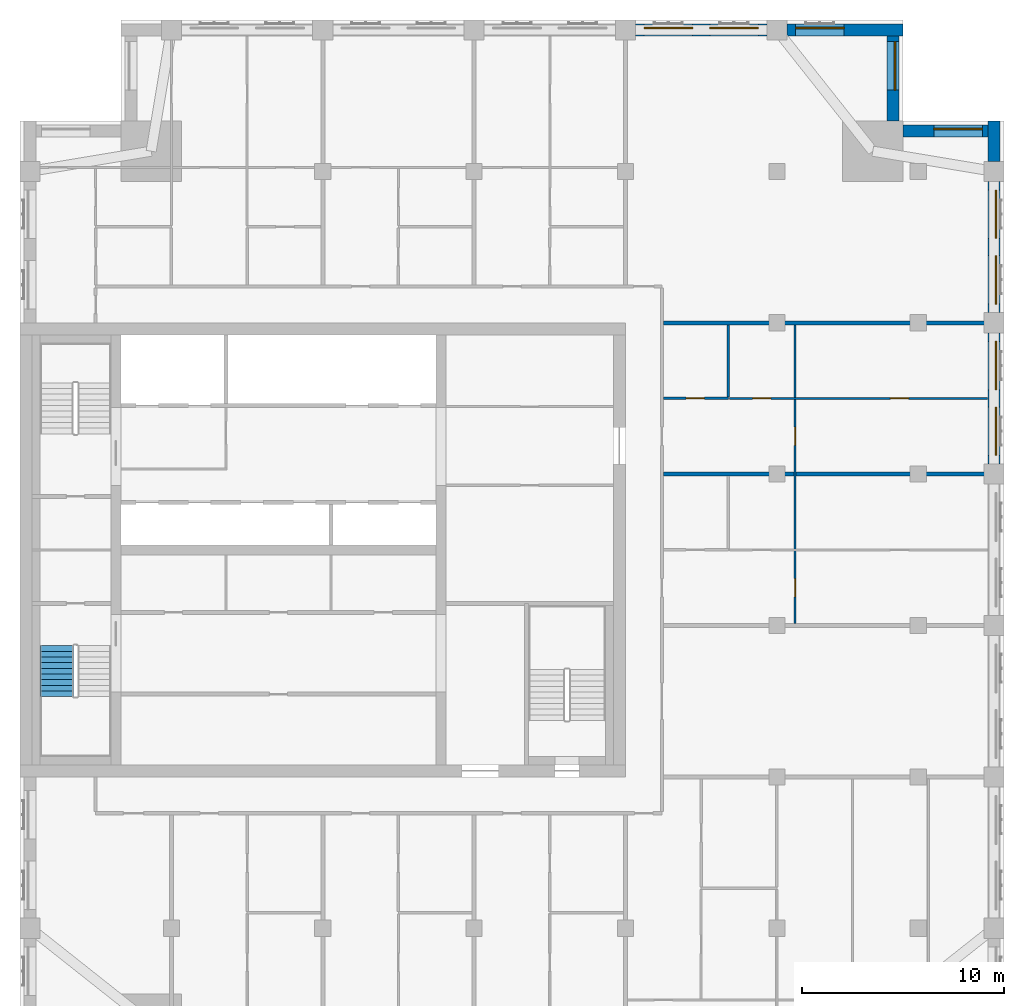
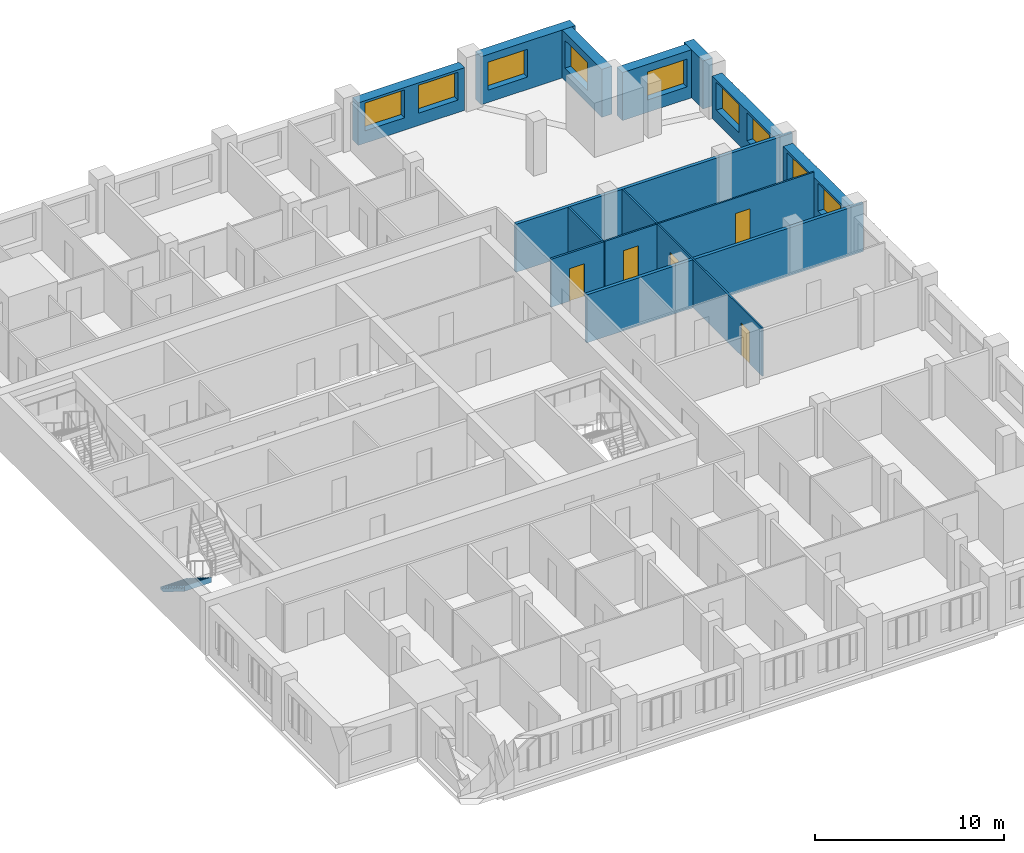
# One storey, part 8 of 11: 13 walls, 9 windows, 5 doors, 1 stair flight, 14 openings, 1 element without a shape of its own.
"""IFC4 building model written with IfcOpenShell, lengths in metres."""

import ifcopenshell
import ifcopenshell.guid

model = None  # the IFC model being written
_history = None  # IfcOwnerHistory: only IFC2X3 demands one
_inside = {}  # id of a spatial element -> (the spatial element, [elements in it])
_under = {}  # id of a project, library or spatial element -> (it, [spatial elements below it])
_declared = {}  # id of a project -> (the project, [libraries it declares])
_typed = {}  # id of a type object -> (the type object, [elements of that type])
_made_of = {}  # id of a material, layer set ... -> (it, [elements and type objects made of it])


def new_model(schema):
    """Start an empty IFC model of exactly this schema.

    Asked for "IFC4X3", IfcOpenShell would pick the latest addendum, in which some entities
    have other attributes; the version numbers below select the first issue.
    IFC2X3 requires an IfcOwnerHistory on every rooted entity: one is made here for all.
    """
    global model, _history
    if schema == "IFC4X3":
        model = ifcopenshell.file(schema_version=(4, 3, 0, 0))
    else:
        model = ifcopenshell.file(schema=schema)
    _inside.clear()
    _under.clear()
    _declared.clear()
    _typed.clear()
    _made_of.clear()
    _history = None
    if model.schema == "IFC2X3":
        org = make("IfcOrganization", Name="unknown")
        user = make(
            "IfcPersonAndOrganization",
            ThePerson=make("IfcPerson", FamilyName="unknown"),
            TheOrganization=org,
        )
        app = make(
            "IfcApplication",
            ApplicationDeveloper=org,
            Version="unknown",
            ApplicationFullName="unknown",
            ApplicationIdentifier="unknown",
        )
        _history = make(
            "IfcOwnerHistory",
            OwningUser=user,
            OwningApplication=app,
            ChangeAction="ADDED",
            CreationDate=0,
        )
    return model


def make(cls, **values):
    """One entity of the class cls with the attributes given. An attribute that is None is left unset."""
    return model.create_entity(
        cls, **{name: value for name, value in values.items() if value is not None}
    )


def rooted(cls, **values):
    """An entity with a GlobalId (a new one), such as an element, a storey or a relation."""
    return make(cls, GlobalId=ifcopenshell.guid.new(), OwnerHistory=_history, **values)


def si_unit(unit_type, name, prefix=None):
    """IfcSIUnit, for example si_unit("LENGTHUNIT", "METRE", prefix="MILLI")."""
    return make("IfcSIUnit", UnitType=unit_type, Prefix=prefix, Name=name)


def assignment(units):
    """IfcUnitAssignment: the units of a project."""
    return None if units is None else make("IfcUnitAssignment", Units=units)


def point(xyz):
    """IfcCartesianPoint."""
    return None if xyz is None else make("IfcCartesianPoint", Coordinates=xyz)


def direction(xyz):
    """IfcDirection."""
    return None if xyz is None else make("IfcDirection", DirectionRatios=xyz)


def frame(location, z_axis=None, x_axis=None):
    """IfcAxis2Placement3D, a coordinate frame: its origin and axes. An axis left out is left unset."""
    return make(
        "IfcAxis2Placement3D",
        Location=point(location),
        Axis=direction(z_axis),
        RefDirection=direction(x_axis),
    )


def frame_2d(location, x_axis=None):
    """IfcAxis2Placement2D, a coordinate frame in the plane: its origin and x axis."""
    return make(
        "IfcAxis2Placement2D", Location=point(location), RefDirection=direction(x_axis)
    )


def origin():
    """The frame at (0, 0, 0) with its axes left unset."""
    return frame((0.0, 0.0, 0.0))


def place(relative_to, where):
    """IfcLocalPlacement: puts the frame where relative to a parent placement (None: the world)."""
    return make(
        "IfcLocalPlacement", PlacementRelTo=relative_to, RelativePlacement=where
    )


def context(
    kind, dimensions, precision=None, world=None, true_north=None, identifier=None
):
    """IfcGeometricRepresentationContext, for example the 3D "Model" context."""
    return make(
        "IfcGeometricRepresentationContext",
        ContextIdentifier=identifier,
        ContextType=kind,
        CoordinateSpaceDimension=dimensions,
        Precision=precision,
        WorldCoordinateSystem=world,
        TrueNorth=true_north,
    )


def subcontext(parent, identifier, kind, view, scale=None):
    """IfcGeometricRepresentationSubContext, for example "Body" below "Model"."""
    return make(
        "IfcGeometricRepresentationSubContext",
        ContextIdentifier=identifier,
        ContextType=kind,
        ParentContext=parent,
        TargetScale=scale,
        TargetView=view,
    )


def project(units=None, contexts=None):
    """IfcProject with its units and contexts."""
    return rooted(
        "IfcProject",
        Name="project",
        RepresentationContexts=contexts,
        UnitsInContext=assignment(units),
    )


def spatial(cls, under=None, at=None, **own):
    """A site, building, storey or space (cls), placed at a placement, below another one or the project."""
    s = rooted(cls, ObjectPlacement=at, **own)
    if under is not None:
        _under.setdefault(under.id(), (under, []))[1].append(s)
    return s


def polyline(points):
    """IfcPolyline through the points."""
    return make("IfcPolyline", Points=[point(p) for p in points])


def profile(cls, at=None, kind="AREA", **sizes):
    """A parametric profile (cls). Its sizes go by their IFC names, for example OverallWidth=200.0."""
    return make(cls, ProfileType=kind, Position=at, **sizes)


def rectangle(**sizes):
    """IfcRectangleProfileDef."""
    return profile("IfcRectangleProfileDef", **sizes)


def outline(outer, holes=None, kind="AREA"):
    """IfcArbitraryClosedProfileDef: a profile drawn as a closed curve; with holes, ...WithVoids."""
    if holes is None:
        return make("IfcArbitraryClosedProfileDef", ProfileType=kind, OuterCurve=outer)
    return make(
        "IfcArbitraryProfileDefWithVoids",
        ProfileType=kind,
        OuterCurve=outer,
        InnerCurves=holes,
    )


def extrude(swept, where, along, depth):
    """IfcExtrudedAreaSolid: the profile swept, set in the frame where, extruded along a direction by depth."""
    return make(
        "IfcExtrudedAreaSolid",
        SweptArea=swept,
        Position=where,
        ExtrudedDirection=direction(along),
        Depth=depth,
    )


def shape(context_of_items, identifier, shape_type, items):
    """IfcShapeRepresentation: the items that make up one representation, for example the "Body"."""
    return make(
        "IfcShapeRepresentation",
        ContextOfItems=context_of_items,
        RepresentationIdentifier=identifier,
        RepresentationType=shape_type,
        Items=items,
    )


def material(Name=None, Category=None):
    """IfcMaterial."""
    return make("IfcMaterial", Name=Name, Category=Category)


def layer(
    of_material, thickness, ventilated=None, Name=None, Category=None, Priority=None
):
    """IfcMaterialLayer: one layer of a wall or slab, of a material (None: an air gap)."""
    return make(
        "IfcMaterialLayer",
        Material=of_material,
        LayerThickness=thickness,
        IsVentilated=ventilated,
        Name=Name,
        Category=Category,
        Priority=Priority,
    )


def layer_set(layers, Name=None):
    """IfcMaterialLayerSet."""
    return make("IfcMaterialLayerSet", MaterialLayers=layers, LayerSetName=Name)


def made_of(thing, what):
    """Note that an element or type object is made of a material, layer set ...; save() writes the relation."""
    if what is not None:
        _made_of.setdefault(what.id(), (what, []))[1].append(thing)
    return thing


def type_object(cls, material=None, **own):
    """A type object (cls), such as IfcWallType, which elements share."""
    return made_of(rooted(cls, **own), material)


def element(
    cls,
    number,
    at=None,
    inside=None,
    cuts=None,
    type_object=None,
    material=None,
    context=None,
    identifier="Body",
    shape_type=None,
    held_by="IfcProductDefinitionShape",
    body=None,
    shapes=None,
    **own,
):
    """One element of the class cls, such as IfcWall. Its Tag is "e" and its number.

    at: its placement. inside: the storey or other place that contains it. cuts: it is an
    opening in that element (IfcRelVoidsElement). A single representation is given by context,
    identifier, shape_type and body (its items); several are given by shapes. held_by: the class
    of the entity that holds the representations. save() writes the other relations.
    """
    e = rooted(cls, Tag="e%d" % number, ObjectPlacement=at, **own)
    if body is not None:
        shapes = [shape(context, identifier, shape_type, body)]
    if shapes is not None:
        e.Representation = make(held_by, Representations=shapes)
    if inside is not None:
        _inside.setdefault(inside.id(), (inside, []))[1].append(e)
    if cuts is not None:
        rooted(
            "IfcRelVoidsElement", RelatingBuildingElement=cuts, RelatedOpeningElement=e
        )
    if type_object is not None:
        _typed.setdefault(type_object.id(), (type_object, []))[1].append(e)
    return made_of(e, material)


def fill(opening, filler):
    """IfcRelFillsElement: the door or window that sits in an opening."""
    return rooted(
        "IfcRelFillsElement",
        RelatingOpeningElement=opening,
        RelatedBuildingElement=filler,
    )


def aggregate(whole, parts):
    """IfcRelAggregates: a whole, such as a stair, and the parts it consists of."""
    return rooted("IfcRelAggregates", RelatingObject=whole, RelatedObjects=parts)


def save(model, path):
    """Write the relations noted so far, then the file.

    IfcRelAggregates (storeys below a building ...), IfcRelContainedInSpatialStructure (elements
    in a storey), IfcRelDefinesByType, IfcRelAssociatesMaterial and IfcRelDeclares: one each for
    every whole, place, type object, material and project.
    """
    for whole, parts in _under.values():
        aggregate(whole, parts)
    for where, things in _inside.values():
        rooted(
            "IfcRelContainedInSpatialStructure",
            RelatedElements=things,
            RelatingStructure=where,
        )
    for kind, things in _typed.values():
        rooted("IfcRelDefinesByType", RelatedObjects=things, RelatingType=kind)
    for what, things in _made_of.values():
        rooted("IfcRelAssociatesMaterial", RelatedObjects=things, RelatingMaterial=what)
    for by, libraries in _declared.values():
        rooted("IfcRelDeclares", RelatingContext=by, RelatedDefinitions=libraries)
    model.write(path)


model = new_model("IFC4")

# Units and contexts
model_context = context("Model", 3, precision=1e-05, world=origin(), true_north=direction((0.0, 1.0)))
body_context = subcontext(model_context, "Body", "Model", "MODEL_VIEW")
ifc_project = project(units=[si_unit("LENGTHUNIT", "METRE"), si_unit("AREAUNIT", "SQUARE_METRE"), si_unit("VOLUMEUNIT", "CUBIC_METRE"), si_unit("PLANEANGLEUNIT", "RADIAN"), si_unit("MASSUNIT", "GRAM", prefix="KILO")], contexts=[model_context])

# Site, building, storey
site_placement = place(None, origin())
site = spatial("IfcSite", under=ifc_project, at=site_placement, CompositionType="ELEMENT")
building_placement = place(site_placement, origin())
building = spatial("IfcBuilding", under=site, at=building_placement, Name="Tamorin Gate", CompositionType="ELEMENT")
storey_placement = place(building_placement, frame((0.0, 0.0, 254.699951171875)))
storey = spatial("IfcBuildingStorey", under=building, at=storey_placement, Name="L64", CompositionType="ELEMENT", Elevation=254.699951171875)

# Wall, openings, windows
ifc_material_1 = material(Name="Precast concrete C40/50", Category="concrete")
ifc_layer_1 = layer(ifc_material_1, 0.60009765625)
ifc_layer_set_1 = layer_set([ifc_layer_1], Name="Precast concrete C40/50")
wall_type_1 = type_object("IfcWallType", Name="Board-marked concrete facade panel 600", PredefinedType="SOLIDWALL", material=ifc_layer_set_1)
wall_1_placement = place(storey_placement, frame((78.25, 75.5, 0.0), z_axis=(0.0, 0.0, 1.0), x_axis=(0.0, 1.0, 0.0)))
wall_1 = element("IfcWall", 1, at=wall_1_placement, inside=storey, type_object=wall_type_1, Name="Facade panel", PredefinedType="SOLIDWALL", context=body_context, shape_type="SweptSolid", body=[
    extrude(rectangle(XDim=6.5, YDim=0.60009765625, at=frame_2d((3.25, 0.0))), origin(), (0.0, 0.0, 1.0), 2.75),
])
opening_1_placement = place(wall_1_placement, frame((0.425048828125, 0.0, 0.800048828125)))
opening_1 = element("IfcOpeningElement", 2, at=opening_1_placement, cuts=wall_1, Name="Opening WN1", PredefinedType="OPENING", context=body_context, shape_type="SweptSolid", body=[
    extrude(rectangle(XDim=2.39990234375, YDim=1.800048828125, at=frame_2d((1.199951171875, 0.89990234375))), frame((0.0, 0.31005859375, 0.0), z_axis=(0.0, -1.0, 0.0), x_axis=(1.0, 0.0, 0.0)), (0.0, 0.0, 1.0), 0.6201171875),
])
opening_2_placement = place(wall_1_placement, frame((3.675048828125, 0.0, 0.800048828125)))
opening_2 = element("IfcOpeningElement", 3, at=opening_2_placement, cuts=wall_1, Name="Opening WN1", PredefinedType="OPENING", context=body_context, shape_type="SweptSolid", body=[
    extrude(rectangle(XDim=2.39990234375, YDim=1.800048828125, at=frame_2d((1.199951171875, 0.89990234375))), frame((0.0, 0.31005859375, 0.0), z_axis=(0.0, -1.0, 0.0), x_axis=(1.0, 0.0, 0.0)), (0.0, 0.0, 1.0), 0.6201171875),
])
ifc_material_2 = material(Name="Clear glass in aluminium frame", Category="aluminium")
window_type = type_object("IfcWindowType", Name="Deep-set window 2400x1800", PartitioningType="SINGLE_PANEL", PredefinedType="WINDOW", material=ifc_material_2)
window_1_placement = place(opening_1_placement, origin())
window_1 = element("IfcWindow", 4, at=window_1_placement, inside=storey, type_object=window_type, Name="Deep-set window", OverallHeight=1.800048828125, OverallWidth=2.39990234375, PartitioningType="SINGLE_PANEL", PredefinedType="WINDOW", context=body_context, shape_type="SweptSolid", body=[
    extrude(rectangle(XDim=2.39990234375, YDim=1.800048828125, at=frame_2d((1.199951171875, 0.89990234375))), frame((0.0, -0.070068359375, 0.0), z_axis=(0.0, -1.0, 0.0), x_axis=(1.0, 0.0, 0.0)), (0.0, 0.0, 1.0), 0.06005859375),
])
fill(opening_1, window_1)
window_2_placement = place(opening_2_placement, origin())
window_2 = element("IfcWindow", 5, at=window_2_placement, inside=storey, type_object=window_type, Name="Deep-set window", OverallHeight=1.800048828125, OverallWidth=2.39990234375, PartitioningType="SINGLE_PANEL", PredefinedType="WINDOW", context=body_context, shape_type="SweptSolid", body=[
    extrude(rectangle(XDim=2.39990234375, YDim=1.800048828125, at=frame_2d((1.199951171875, 0.89990234375))), frame((0.0, -0.070068359375, 0.0), z_axis=(0.0, -1.0, 0.0), x_axis=(1.0, 0.0, 0.0)), (0.0, 0.0, 1.0), 0.06005859375),
])
fill(opening_2, window_2)

wall_2_placement = place(storey_placement, frame((78.25, 83.0, 0.0), z_axis=(0.0, 0.0, 1.0), x_axis=(0.0, 1.0, 0.0)))
wall_2 = element("IfcWall", 6, at=wall_2_placement, inside=storey, type_object=wall_type_1, Name="Facade panel", PredefinedType="SOLIDWALL", context=body_context, shape_type="SweptSolid", body=[
    extrude(rectangle(XDim=6.5, YDim=0.60009765625, at=frame_2d((3.25, 0.0))), origin(), (0.0, 0.0, 1.0), 2.75),
])
opening_3_placement = place(wall_2_placement, frame((0.425048828125, 0.0, 0.800048828125)))
opening_3 = element("IfcOpeningElement", 7, at=opening_3_placement, cuts=wall_2, Name="Opening WN1", PredefinedType="OPENING", context=body_context, shape_type="SweptSolid", body=[
    extrude(rectangle(XDim=2.39990234375, YDim=1.800048828125, at=frame_2d((1.199951171875, 0.89990234375))), frame((0.0, 0.31005859375, 0.0), z_axis=(0.0, -1.0, 0.0), x_axis=(1.0, 0.0, 0.0)), (0.0, 0.0, 1.0), 0.6201171875),
])
opening_4_placement = place(wall_2_placement, frame((3.675048828125, 0.0, 0.800048828125)))
opening_4 = element("IfcOpeningElement", 8, at=opening_4_placement, cuts=wall_2, Name="Opening WN1", PredefinedType="OPENING", context=body_context, shape_type="SweptSolid", body=[
    extrude(rectangle(XDim=2.39990234375, YDim=1.800048828125, at=frame_2d((1.199951171875, 0.89990234375))), frame((0.0, 0.31005859375, 0.0), z_axis=(0.0, -1.0, 0.0), x_axis=(1.0, 0.0, 0.0)), (0.0, 0.0, 1.0), 0.6201171875),
])
window_3_placement = place(opening_3_placement, origin())
window_3 = element("IfcWindow", 9, at=window_3_placement, inside=storey, type_object=window_type, Name="Deep-set window", OverallHeight=1.800048828125, OverallWidth=2.39990234375, PartitioningType="SINGLE_PANEL", PredefinedType="WINDOW", context=body_context, shape_type="SweptSolid", body=[
    extrude(rectangle(XDim=2.39990234375, YDim=1.800048828125, at=frame_2d((1.199951171875, 0.89990234375))), frame((0.0, -0.070068359375, 0.0), z_axis=(0.0, -1.0, 0.0), x_axis=(1.0, 0.0, 0.0)), (0.0, 0.0, 1.0), 0.06005859375),
])
fill(opening_3, window_3)
window_4_placement = place(opening_4_placement, origin())
window_4 = element("IfcWindow", 10, at=window_4_placement, inside=storey, type_object=window_type, Name="Deep-set window", OverallHeight=1.800048828125, OverallWidth=2.39990234375, PartitioningType="SINGLE_PANEL", PredefinedType="WINDOW", context=body_context, shape_type="SweptSolid", body=[
    extrude(rectangle(XDim=2.39990234375, YDim=1.800048828125, at=frame_2d((1.199951171875, 0.89990234375))), frame((0.0, -0.070068359375, 0.0), z_axis=(0.0, -1.0, 0.0), x_axis=(1.0, 0.0, 0.0)), (0.0, 0.0, 1.0), 0.06005859375),
])
fill(opening_4, window_4)

# Wall
wall_3_placement = place(storey_placement, frame((78.25, 90.5, 0.0), z_axis=(0.0, 0.0, 1.0), x_axis=(0.0, 1.0, 0.0)))
element("IfcWall", 11, at=wall_3_placement, inside=storey, type_object=wall_type_1, Name="Facade panel", PredefinedType="SOLIDWALL", context=body_context, shape_type="SweptSolid", body=[
    extrude(rectangle(XDim=2.0, YDim=0.60009765625, at=frame_2d((1.0, 0.0))), origin(), (0.0, 0.0, 1.0), 3.10009765625),
])

# Wall, opening, window
wall_4_placement = place(storey_placement, frame((77.949951171875, 92.0, 0.0), z_axis=(0.0, 0.0, 1.0), x_axis=(-1.0, 0.0, 0.0)))
wall_4 = element("IfcWall", 12, at=wall_4_placement, inside=storey, type_object=wall_type_1, Name="Facade panel", PredefinedType="SOLIDWALL", context=body_context, shape_type="SweptSolid", body=[
    extrude(rectangle(XDim=4.199951171875, YDim=0.60009765625, at=frame_2d((2.10009765625, 0.0))), origin(), (0.0, 0.0, 1.0), 3.10009765625),
])
opening_5_placement = place(wall_4_placement, frame((0.27490234375, 0.0, 0.800048828125)))
opening_5 = element("IfcOpeningElement", 13, at=opening_5_placement, cuts=wall_4, Name="Opening WN1", PredefinedType="OPENING", context=body_context, shape_type="SweptSolid", body=[
    extrude(rectangle(XDim=2.39990234375, YDim=1.800048828125, at=frame_2d((1.199951171875, 0.89990234375))), frame((0.0, 0.31005859375, 0.0), z_axis=(0.0, -1.0, 0.0), x_axis=(1.0, 0.0, 0.0)), (0.0, 0.0, 1.0), 0.6201171875),
])
window_5_placement = place(opening_5_placement, origin())
window_5 = element("IfcWindow", 14, at=window_5_placement, inside=storey, type_object=window_type, Name="Deep-set window", OverallHeight=1.800048828125, OverallWidth=2.39990234375, PartitioningType="SINGLE_PANEL", PredefinedType="WINDOW", context=body_context, shape_type="SweptSolid", body=[
    extrude(rectangle(XDim=2.39990234375, YDim=1.800048828125, at=frame_2d((1.199951171875, 0.89990234375))), frame((0.0, -0.070068359375, 0.0), z_axis=(0.0, -1.0, 0.0), x_axis=(1.0, 0.0, 0.0)), (0.0, 0.0, 1.0), 0.06005859375),
])
fill(opening_5, window_5)

wall_5_placement = place(storey_placement, frame((73.25, 92.5, 0.0), z_axis=(0.0, 0.0, 1.0), x_axis=(0.0, 1.0, 0.0)))
wall_5 = element("IfcWall", 15, at=wall_5_placement, inside=storey, type_object=wall_type_1, Name="Facade panel", PredefinedType="SOLIDWALL", context=body_context, shape_type="SweptSolid", body=[
    extrude(rectangle(XDim=4.199951171875, YDim=0.60009765625, at=frame_2d((2.10009765625, 0.0))), origin(), (0.0, 0.0, 1.0), 3.10009765625),
])
opening_6_placement = place(wall_5_placement, frame((1.52490234375, 0.0, 0.800048828125)))
opening_6 = element("IfcOpeningElement", 16, at=opening_6_placement, cuts=wall_5, Name="Opening WN1", PredefinedType="OPENING", context=body_context, shape_type="SweptSolid", body=[
    extrude(rectangle(XDim=2.39990234375, YDim=1.800048828125, at=frame_2d((1.199951171875, 0.89990234375))), frame((0.0, 0.31005859375, 0.0), z_axis=(0.0, -1.0, 0.0), x_axis=(1.0, 0.0, 0.0)), (0.0, 0.0, 1.0), 0.6201171875),
])
window_6_placement = place(opening_6_placement, origin())
window_6 = element("IfcWindow", 17, at=window_6_placement, inside=storey, type_object=window_type, Name="Deep-set window", OverallHeight=1.800048828125, OverallWidth=2.39990234375, PartitioningType="SINGLE_PANEL", PredefinedType="WINDOW", context=body_context, shape_type="SweptSolid", body=[
    extrude(rectangle(XDim=2.39990234375, YDim=1.800048828125, at=frame_2d((1.199951171875, 0.89990234375))), frame((0.0, -0.070068359375, 0.0), z_axis=(0.0, -1.0, 0.0), x_axis=(1.0, 0.0, 0.0)), (0.0, 0.0, 1.0), 0.06005859375),
])
fill(opening_6, window_6)

wall_6_placement = place(storey_placement, frame((73.75, 97.0, 0.0), z_axis=(0.0, 0.0, 1.0), x_axis=(-1.0, 0.0, 0.0)))
wall_6 = element("IfcWall", 18, at=wall_6_placement, inside=storey, type_object=wall_type_1, Name="Facade panel", PredefinedType="SOLIDWALL", context=body_context, shape_type="SweptSolid", body=[
    extrude(rectangle(XDim=5.75, YDim=0.60009765625, at=frame_2d((2.875, 0.0))), origin(), (0.0, 0.0, 1.0), 3.10009765625),
])
opening_7_placement = place(wall_6_placement, frame((2.925048828125, 0.0, 0.800048828125)))
opening_7 = element("IfcOpeningElement", 19, at=opening_7_placement, cuts=wall_6, Name="Opening WN1", PredefinedType="OPENING", context=body_context, shape_type="SweptSolid", body=[
    extrude(rectangle(XDim=2.39990234375, YDim=1.800048828125, at=frame_2d((1.199951171875, 0.89990234375))), frame((0.0, 0.31005859375, 0.0), z_axis=(0.0, -1.0, 0.0), x_axis=(1.0, 0.0, 0.0)), (0.0, 0.0, 1.0), 0.6201171875),
])
window_7_placement = place(opening_7_placement, origin())
window_7 = element("IfcWindow", 20, at=window_7_placement, inside=storey, type_object=window_type, Name="Deep-set window", OverallHeight=1.800048828125, OverallWidth=2.39990234375, PartitioningType="SINGLE_PANEL", PredefinedType="WINDOW", context=body_context, shape_type="SweptSolid", body=[
    extrude(rectangle(XDim=2.39990234375, YDim=1.800048828125, at=frame_2d((1.199951171875, 0.89990234375))), frame((0.0, -0.070068359375, 0.0), z_axis=(0.0, -1.0, 0.0), x_axis=(1.0, 0.0, 0.0)), (0.0, 0.0, 1.0), 0.06005859375),
])
fill(opening_7, window_7)

# Wall, openings, windows
wall_7_placement = place(storey_placement, frame((67.0, 97.0, 0.0), z_axis=(0.0, 0.0, 1.0), x_axis=(-1.0, 0.0, 0.0)))
wall_7 = element("IfcWall", 21, at=wall_7_placement, inside=storey, type_object=wall_type_1, Name="Facade panel", PredefinedType="SOLIDWALL", context=body_context, shape_type="SweptSolid", body=[
    extrude(rectangle(XDim=6.5, YDim=0.60009765625, at=frame_2d((3.25, 0.0))), origin(), (0.0, 0.0, 1.0), 2.75),
])
opening_8_placement = place(wall_7_placement, frame((3.675048828125, 0.0, 0.800048828125)))
opening_8 = element("IfcOpeningElement", 22, at=opening_8_placement, cuts=wall_7, Name="Opening WN1", PredefinedType="OPENING", context=body_context, shape_type="SweptSolid", body=[
    extrude(rectangle(XDim=2.39990234375, YDim=1.800048828125, at=frame_2d((1.199951171875, 0.89990234375))), frame((0.0, 0.31005859375, 0.0), z_axis=(0.0, -1.0, 0.0), x_axis=(1.0, 0.0, 0.0)), (0.0, 0.0, 1.0), 0.6201171875),
])
opening_9_placement = place(wall_7_placement, frame((0.425048828125, 0.0, 0.800048828125)))
opening_9 = element("IfcOpeningElement", 23, at=opening_9_placement, cuts=wall_7, Name="Opening WN1", PredefinedType="OPENING", context=body_context, shape_type="SweptSolid", body=[
    extrude(rectangle(XDim=2.39990234375, YDim=1.800048828125, at=frame_2d((1.199951171875, 0.89990234375))), frame((0.0, 0.31005859375, 0.0), z_axis=(0.0, -1.0, 0.0), x_axis=(1.0, 0.0, 0.0)), (0.0, 0.0, 1.0), 0.6201171875),
])
window_8_placement = place(opening_8_placement, origin())
window_8 = element("IfcWindow", 24, at=window_8_placement, inside=storey, type_object=window_type, Name="Deep-set window", OverallHeight=1.800048828125, OverallWidth=2.39990234375, PartitioningType="SINGLE_PANEL", PredefinedType="WINDOW", context=body_context, shape_type="SweptSolid", body=[
    extrude(rectangle(XDim=2.39990234375, YDim=1.800048828125, at=frame_2d((1.199951171875, 0.89990234375))), frame((0.0, -0.070068359375, 0.0), z_axis=(0.0, -1.0, 0.0), x_axis=(1.0, 0.0, 0.0)), (0.0, 0.0, 1.0), 0.06005859375),
])
fill(opening_8, window_8)
window_9_placement = place(opening_9_placement, origin())
window_9 = element("IfcWindow", 25, at=window_9_placement, inside=storey, type_object=window_type, Name="Deep-set window", OverallHeight=1.800048828125, OverallWidth=2.39990234375, PartitioningType="SINGLE_PANEL", PredefinedType="WINDOW", context=body_context, shape_type="SweptSolid", body=[
    extrude(rectangle(XDim=2.39990234375, YDim=1.800048828125, at=frame_2d((1.199951171875, 0.89990234375))), frame((0.0, -0.070068359375, 0.0), z_axis=(0.0, -1.0, 0.0), x_axis=(1.0, 0.0, 0.0)), (0.0, 0.0, 1.0), 0.06005859375),
])
fill(opening_9, window_9)

# Walls
ifc_material_3 = material(Name="Gypsum board partition")
ifc_layer_2 = layer(ifc_material_3, 0.199951171875)
ifc_layer_set_2 = layer_set([ifc_layer_2], Name="Demising wall 200")
wall_type_2 = type_object("IfcWallType", Name="Demising wall 200", PredefinedType="PARTITIONING", material=ifc_layer_set_2)
for number, where, z_axis, x_axis, name in (
    (26, (61.875, 75.0, 0.0), (0.0, 0.0, 1.0), (1.0, 0.0, 0.0), "Demising wall 200"),
    (27, (61.875, 82.5, 0.0), (0.0, 0.0, 1.0), (1.0, 0.0, 0.0), "Demising wall 200"),
):
    element("IfcWall", number, at=place(storey_placement, frame(where, z_axis=z_axis, x_axis=x_axis)), inside=storey, type_object=wall_type_2, Name=name, PredefinedType="PARTITIONING", context=body_context, shape_type="SweptSolid", body=[
        extrude(rectangle(XDim=16.875, YDim=0.199951171875, at=frame_2d((8.4375, 0.0))), origin(), (0.0, 0.0, 1.0), 3.10009765625),
    ])

# Wall, openings, doors
ifc_layer_3 = layer(ifc_material_3, 0.10009765625)
ifc_layer_set_3 = layer_set([ifc_layer_3], Name="Room partition 100")
wall_type_3 = type_object("IfcWallType", Name="Room partition 100", PredefinedType="PARTITIONING", material=ifc_layer_set_3)
wall_8_placement = place(storey_placement, frame((65.16259765625, 78.75, 0.0), z_axis=(0.0, 0.0, 1.0), x_axis=(1.0, 0.0, 0.0)))
wall_8 = element("IfcWall", 28, at=wall_8_placement, inside=storey, type_object=wall_type_3, Name="Room partition 100", PredefinedType="PARTITIONING", context=body_context, shape_type="SweptSolid", body=[
    extrude(rectangle(XDim=12.77734375, YDim=0.10009765625, at=frame_2d((6.388671875, 0.0))), origin(), (0.0, 0.0, 1.0), 3.10009765625),
])
opening_10_placement = place(wall_8_placement, frame((1.137451171875, 0.0, 0.0)))
opening_10 = element("IfcOpeningElement", 29, at=opening_10_placement, cuts=wall_8, Name="Opening DR6052", PredefinedType="OPENING", context=body_context, shape_type="SweptSolid", body=[
    extrude(rectangle(XDim=0.89990234375, YDim=2.10009765625, at=frame_2d((0.449951171875, 1.050048828125))), frame((0.0, 0.06005859375, 0.0), z_axis=(0.0, -1.0, 0.0), x_axis=(1.0, 0.0, 0.0)), (0.0, 0.0, 1.0), 0.1201171875),
])
opening_11_placement = place(wall_8_placement, frame((7.96240234375, 0.0, 0.0)))
opening_11 = element("IfcOpeningElement", 30, at=opening_11_placement, cuts=wall_8, Name="Opening DR6054", PredefinedType="OPENING", context=body_context, shape_type="SweptSolid", body=[
    extrude(rectangle(XDim=0.89990234375, YDim=2.10009765625, at=frame_2d((0.449951171875, 1.050048828125))), frame((0.0, 0.06005859375, 0.0), z_axis=(0.0, -1.0, 0.0), x_axis=(1.0, 0.0, 0.0)), (0.0, 0.0, 1.0), 0.1201171875),
])
ifc_material_4 = material(Name="Timber door leaf", Category="wood")
door_type = type_object("IfcDoorType", Name="Door 900 x 2100", OperationType="NOTDEFINED", PredefinedType="DOOR", material=ifc_material_4)
door_1_placement = place(opening_10_placement, origin())
door_1 = element("IfcDoor", 31, at=door_1_placement, inside=storey, type_object=door_type, Name="Door DR6052", OperationType="SINGLE_SWING_LEFT", OverallHeight=2.10009765625, OverallWidth=0.89990234375, PredefinedType="DOOR", context=body_context, shape_type="SweptSolid", body=[
    extrude(rectangle(XDim=0.89990234375, YDim=2.10009765625, at=frame_2d((0.449951171875, 1.050048828125))), frame((0.0, 0.02490234375, 0.0), z_axis=(0.0, -1.0, 0.0), x_axis=(1.0, 0.0, 0.0)), (0.0, 0.0, 1.0), 0.050048828125),
])
fill(opening_10, door_1)
door_2_placement = place(opening_11_placement, origin())
door_2 = element("IfcDoor", 32, at=door_2_placement, inside=storey, type_object=door_type, Name="Door DR6054", OperationType="SINGLE_SWING_LEFT", OverallHeight=2.10009765625, OverallWidth=0.89990234375, PredefinedType="DOOR", context=body_context, shape_type="SweptSolid", body=[
    extrude(rectangle(XDim=0.89990234375, YDim=2.10009765625, at=frame_2d((0.449951171875, 1.050048828125))), frame((0.0, 0.02490234375, 0.0), z_axis=(0.0, -1.0, 0.0), x_axis=(1.0, 0.0, 0.0)), (0.0, 0.0, 1.0), 0.050048828125),
])
fill(opening_11, door_2)

wall_9_placement = place(storey_placement, frame((68.39990234375, 67.60009765625, 0.0), z_axis=(0.0, 0.0, 1.0), x_axis=(0.0, 1.0, 0.0)))
wall_9 = element("IfcWall", 33, at=wall_9_placement, inside=storey, type_object=wall_type_3, Name="Room partition 100", PredefinedType="PARTITIONING", context=body_context, shape_type="SweptSolid", body=[
    extrude(rectangle(XDim=14.7998046875, YDim=0.10009765625, at=frame_2d((7.39990234375, 0.0))), origin(), (0.0, 0.0, 1.0), 3.10009765625),
])
opening_12_placement = place(wall_9_placement, frame((1.324951171875, 0.0, 0.0)))
opening_12 = element("IfcOpeningElement", 34, at=opening_12_placement, cuts=wall_9, Name="Opening DR6046", PredefinedType="OPENING", context=body_context, shape_type="SweptSolid", body=[
    extrude(rectangle(XDim=0.89990234375, YDim=2.10009765625, at=frame_2d((0.449951171875, 1.050048828125))), frame((0.0, 0.06005859375, 0.0), z_axis=(0.0, -1.0, 0.0), x_axis=(1.0, 0.0, 0.0)), (0.0, 0.0, 1.0), 0.1201171875),
])
opening_13_placement = place(wall_9_placement, frame((8.824951171875, 0.0, 0.0)))
opening_13 = element("IfcOpeningElement", 35, at=opening_13_placement, cuts=wall_9, Name="Opening DR6051", PredefinedType="OPENING", context=body_context, shape_type="SweptSolid", body=[
    extrude(rectangle(XDim=0.89990234375, YDim=2.10009765625, at=frame_2d((0.449951171875, 1.050048828125))), frame((0.0, 0.06005859375, 0.0), z_axis=(0.0, -1.0, 0.0), x_axis=(1.0, 0.0, 0.0)), (0.0, 0.0, 1.0), 0.1201171875),
])
door_3_placement = place(opening_12_placement, origin())
door_3 = element("IfcDoor", 36, at=door_3_placement, inside=storey, type_object=door_type, Name="Door DR6046", OperationType="SINGLE_SWING_LEFT", OverallHeight=2.10009765625, OverallWidth=0.89990234375, PredefinedType="DOOR", context=body_context, shape_type="SweptSolid", body=[
    extrude(rectangle(XDim=0.89990234375, YDim=2.10009765625, at=frame_2d((0.449951171875, 1.050048828125))), frame((0.0, 0.02490234375, 0.0), z_axis=(0.0, -1.0, 0.0), x_axis=(1.0, 0.0, 0.0)), (0.0, 0.0, 1.0), 0.050048828125),
])
fill(opening_12, door_3)
door_4_placement = place(opening_13_placement, origin())
door_4 = element("IfcDoor", 37, at=door_4_placement, inside=storey, type_object=door_type, Name="Door DR6051", OperationType="SINGLE_SWING_LEFT", OverallHeight=2.10009765625, OverallWidth=0.89990234375, PredefinedType="DOOR", context=body_context, shape_type="SweptSolid", body=[
    extrude(rectangle(XDim=0.89990234375, YDim=2.10009765625, at=frame_2d((0.449951171875, 1.050048828125))), frame((0.0, 0.02490234375, 0.0), z_axis=(0.0, -1.0, 0.0), x_axis=(1.0, 0.0, 0.0)), (0.0, 0.0, 1.0), 0.050048828125),
])
fill(opening_13, door_4)

# Wall, opening, door
ifc_layer_4 = layer(ifc_material_3, 0.125)
ifc_layer_set_4 = layer_set([ifc_layer_4], Name="Wet wall 125")
wall_type_4 = type_object("IfcWallType", Name="Wet wall 125", PredefinedType="PARTITIONING", material=ifc_layer_set_4)
wall_10_placement = place(storey_placement, frame((61.875, 78.75, 0.0), z_axis=(0.0, 0.0, 1.0), x_axis=(1.0, 0.0, 0.0)))
wall_10 = element("IfcWall", 38, at=wall_10_placement, inside=storey, type_object=wall_type_4, Name="Wet wall 125", PredefinedType="PARTITIONING", context=body_context, shape_type="SweptSolid", body=[
    extrude(rectangle(XDim=3.22509765625, YDim=0.125, at=frame_2d((1.612548828125, 0.0))), origin(), (0.0, 0.0, 1.0), 3.10009765625),
])
opening_14_placement = place(wall_10_placement, frame((1.125, 0.0, 0.0)))
opening_14 = element("IfcOpeningElement", 39, at=opening_14_placement, cuts=wall_10, Name="Opening DR6053", PredefinedType="OPENING", context=body_context, shape_type="SweptSolid", body=[
    extrude(rectangle(XDim=0.89990234375, YDim=2.10009765625, at=frame_2d((0.449951171875, 1.050048828125))), frame((0.0, 0.072509765625, 0.0), z_axis=(0.0, -1.0, 0.0), x_axis=(1.0, 0.0, 0.0)), (0.0, 0.0, 1.0), 0.14501953125),
])
door_5_placement = place(opening_14_placement, origin())
door_5 = element("IfcDoor", 40, at=door_5_placement, inside=storey, type_object=door_type, Name="Door DR6053", OperationType="SINGLE_SWING_RIGHT", OverallHeight=2.10009765625, OverallWidth=0.89990234375, PredefinedType="DOOR", context=body_context, shape_type="SweptSolid", body=[
    extrude(rectangle(XDim=0.89990234375, YDim=2.10009765625, at=frame_2d((0.449951171875, 1.050048828125))), frame((0.0, 0.02490234375, 0.0), z_axis=(0.0, -1.0, 0.0), x_axis=(1.0, 0.0, 0.0)), (0.0, 0.0, 1.0), 0.050048828125),
])
fill(opening_14, door_5)

# Wall
wall_11_placement = place(storey_placement, frame((65.10009765625, 78.8125, 0.0), z_axis=(0.0, 0.0, 1.0), x_axis=(0.0, 1.0, 0.0)))
element("IfcWall", 41, at=wall_11_placement, inside=storey, type_object=wall_type_4, Name="Wet wall 125", PredefinedType="PARTITIONING", context=body_context, shape_type="SweptSolid", body=[
    extrude(rectangle(XDim=3.58740234375, YDim=0.125, at=frame_2d((1.793701171875, 0.0))), origin(), (0.0, 0.0, 1.0), 3.10009765625),
])

# Stair, stair flight
ifc_material_5 = material(Name="Concrete C40/50", Category="concrete")
stair_type = type_object("IfcStairType", Name="Exit stair", PredefinedType="HALF_TURN_STAIR", material=ifc_material_5)
stair_placement = place(storey_placement, origin())
stair = element("IfcStair", 42, at=stair_placement, inside=storey, type_object=stair_type, Name="L64 stair ST1", PredefinedType="HALF_TURN_STAIR")
stair_flight_type = type_object("IfcStairFlightType", Name="Exit stair flight", PredefinedType="STRAIGHT", material=ifc_material_5)
stair_flight_placement = place(storey_placement, frame((31.824951171875, 66.5, 0.0), z_axis=(0.0, 0.0, 1.0), x_axis=(0.0, -1.0, 0.0)))
stair_flight = element("IfcStairFlight", 43, at=stair_flight_placement, type_object=stair_flight_type, Name="ST1 flight 1", NumberOfRisers=10, NumberOfTreads=9, PredefinedType="STRAIGHT", RiserHeight=0.175, TreadLength=0.28, context=body_context, shape_type="SweptSolid", body=[
    extrude(outline(polyline([(-0.00048828125, 0.0), (-0.00048828125, 0.001708984375), (-0.00048828125, 0.00341796875), (-0.00048828125, 0.005126953125), (-0.00048828125, 0.0068359375), (-0.00048828125, 0.008544921875), (-0.00048828125, 0.010498046875), (-0.00048828125, 0.01220703125), (-0.00048828125, 0.013916015625), (-0.00048828125, 0.015625), (-0.00048828125, 0.017333984375), (-0.00048828125, 0.01904296875), (-0.00048828125, 0.020751953125), (-0.00048828125, 0.0224609375), (-0.00048828125, 0.024169921875), (-0.00048828125, 0.02587890625), (-0.00048828125, 0.02783203125), (-0.00048828125, 0.029541015625), (-0.00048828125, 0.03125), (-0.00048828125, 0.032958984375), (-0.00048828125, 0.03466796875), (-0.00048828125, 0.036376953125), (-0.00048828125, 0.0380859375), (-0.00048828125, 0.039794921875), (-0.00048828125, 0.04150390625), (-0.00048828125, 0.043212890625), (-0.00048828125, 0.045166015625), (-0.00048828125, 0.046875), (-0.00048828125, 0.048583984375), (-0.00048828125, 0.05029296875), (-0.00048828125, 0.052001953125), (-0.00048828125, 0.0537109375), (-0.00048828125, 0.055419921875), (-0.00048828125, 0.05712890625), (-0.00048828125, 0.058837890625), (-0.00048828125, 0.060546875), (-0.00048828125, 0.062255859375), (-0.00048828125, 0.064208984375), (-0.00048828125, 0.06591796875), (-0.00048828125, 0.067626953125), (-0.00048828125, 0.0693359375), (-0.00048828125, 0.071044921875), (-0.00048828125, 0.07275390625), (-0.00048828125, 0.074462890625), (-0.00048828125, 0.076171875), (-0.00048828125, 0.077880859375), (-0.00048828125, 0.07958984375), (-0.00048828125, 0.08154296875), (-0.00048828125, 0.083251953125), (-0.00048828125, 0.0849609375), (-0.00048828125, 0.086669921875), (-0.00048828125, 0.08837890625), (-0.00048828125, 0.090087890625), (-0.00048828125, 0.091796875), (-0.00048828125, 0.093505859375), (-0.00048828125, 0.09521484375), (-0.00048828125, 0.096923828125), (-0.00048828125, 0.098876953125), (-0.00048828125, 0.1005859375), (-0.00048828125, 0.102294921875), (-0.00048828125, 0.10400390625), (-0.00048828125, 0.105712890625), (-0.00048828125, 0.107421875), (-0.00048828125, 0.109130859375), (-0.00048828125, 0.11083984375), (-0.00048828125, 0.112548828125), (-0.00048828125, 0.1142578125), (-0.00048828125, 0.1162109375), (-0.00048828125, 0.117919921875), (-0.00048828125, 0.11962890625), (-0.00048828125, 0.121337890625), (-0.00048828125, 0.123046875), (-0.00048828125, 0.124755859375), (-0.00048828125, 0.12646484375), (-0.00048828125, 0.128173828125), (-0.00048828125, 0.1298828125), (-0.00048828125, 0.131591796875), (-0.00048828125, 0.13330078125), (-0.00048828125, 0.13525390625), (-0.00048828125, 0.136962890625), (-0.00048828125, 0.138671875), (-0.00048828125, 0.140380859375), (-0.00048828125, 0.14208984375), (-0.00048828125, 0.143798828125), (-0.00048828125, 0.1455078125), (-0.00048828125, 0.147216796875), (-0.00048828125, 0.14892578125), (-0.00048828125, 0.150634765625), (-0.00048828125, 0.152587890625), (-0.00048828125, 0.154296875), (-0.00048828125, 0.156005859375), (-0.00048828125, 0.15771484375), (-0.00048828125, 0.159423828125), (-0.00048828125, 0.1611328125), (-0.00048828125, 0.162841796875), (-0.00048828125, 0.16455078125), (-0.00048828125, 0.166259765625), (-0.00048828125, 0.16796875), (-0.00048828125, 0.169921875), (-0.00048828125, 0.171630859375), (-0.00048828125, 0.17333984375), (-0.00048828125, 0.175048828125), (0.280029296875, 0.175048828125), (0.280029296875, 0.35009765625), (0.56005859375, 0.35009765625), (0.56005859375, 0.52490234375), (0.840087890625, 0.52490234375), (0.840087890625, 0.699951171875), (1.1201171875, 0.699951171875), (1.1201171875, 0.875), (1.39990234375, 0.875), (1.39990234375, 1.050048828125), (1.679931640625, 1.050048828125), (1.679931640625, 1.22509765625), (1.9599609375, 1.22509765625), (1.9599609375, 1.39990234375), (2.239990234375, 1.39990234375), (2.239990234375, 1.574951171875), (2.52001953125, 1.574951171875), (2.52001953125, 1.75), (2.5205078125, 1.75), (2.5205078125, 1.74658203125), (2.5205078125, 1.742919921875), (2.5205078125, 1.739501953125), (2.5205078125, 1.736083984375), (2.5205078125, 1.732666015625), (2.5205078125, 1.72900390625), (2.5205078125, 1.7255859375), (2.5205078125, 1.72216796875), (2.5205078125, 1.71875), (2.5205078125, 1.715087890625), (2.5205078125, 1.711669921875), (2.5205078125, 1.708251953125), (2.5205078125, 1.704833984375), (2.5205078125, 1.701171875), (2.5205078125, 1.69775390625), (2.5205078125, 1.6943359375), (2.5205078125, 1.690673828125), (2.5205078125, 1.687255859375), (2.5205078125, 1.683837890625), (2.5205078125, 1.680419921875), (2.5205078125, 1.6767578125), (2.5205078125, 1.67333984375), (2.5205078125, 1.669921875), (2.5205078125, 1.66650390625), (2.5205078125, 1.662841796875), (2.5205078125, 1.659423828125), (2.5205078125, 1.656005859375), (2.5205078125, 1.652587890625), (2.5205078125, 1.64892578125), (2.5205078125, 1.6455078125), (2.5205078125, 1.64208984375), (2.5205078125, 1.638427734375), (2.5205078125, 1.635009765625), (2.5205078125, 1.631591796875), (2.5205078125, 1.628173828125), (2.5205078125, 1.62451171875), (2.5205078125, 1.62109375), (2.5205078125, 1.61767578125), (2.5205078125, 1.6142578125), (2.5205078125, 1.610595703125), (2.5205078125, 1.607177734375), (2.5205078125, 1.603759765625), (2.5205078125, 1.600341796875), (2.5205078125, 1.5966796875), (2.5205078125, 1.59326171875), (2.5205078125, 1.58984375), (2.5205078125, 1.58642578125), (2.5205078125, 1.582763671875), (2.5205078125, 1.579345703125), (2.5205078125, 1.575927734375), (2.5205078125, 1.572265625), (2.5205078125, 1.56884765625), (2.5205078125, 1.5654296875), (2.5205078125, 1.56201171875), (2.5205078125, 1.558349609375), (2.5205078125, 1.554931640625), (2.5205078125, 1.551513671875), (2.5205078125, 1.548095703125), (2.5205078125, 1.54443359375), (2.5205078125, 1.541015625), (2.5205078125, 1.53759765625), (2.5205078125, 1.5341796875), (2.5205078125, 1.530517578125), (2.5205078125, 1.527099609375), (2.5205078125, 1.523681640625), (2.5205078125, 1.52001953125), (2.5205078125, 1.5166015625), (2.5205078125, 1.51318359375), (2.5205078125, 1.509765625), (2.5205078125, 1.506103515625), (2.5205078125, 1.502685546875), (2.5205078125, 1.499267578125), (2.5205078125, 1.495849609375), (2.5205078125, 1.4921875), (2.5205078125, 1.48876953125), (2.5205078125, 1.4853515625), (2.5205078125, 1.48193359375), (2.5205078125, 1.478271484375), (2.5205078125, 1.474853515625), (2.5205078125, 1.471435546875), (2.5205078125, 1.4677734375), (2.5205078125, 1.46435546875), (2.5205078125, 1.4609375), (2.5205078125, 1.45751953125), (2.5205078125, 1.453857421875), (2.5205078125, 1.450439453125), (2.5205078125, 1.447021484375), (2.5205078125, 1.443603515625), (2.5205078125, 1.43994140625), (2.5205078125, 1.4365234375), (2.5205078125, 1.43310546875), (2.5205078125, 1.4296875), (2.5205078125, 1.426025390625), (2.5205078125, 1.422607421875), (2.5205078125, 1.419189453125), (2.5205078125, 1.41552734375), (2.5205078125, 1.412109375), (2.5205078125, 1.40869140625), (2.5205078125, 1.4052734375), (2.5205078125, 1.401611328125), (2.5205078125, 1.398193359375), (2.52001953125, 1.398193359375), (0.28271484375, 0.0), (-0.00048828125, 0.0)])), frame((0.0, 0.824951171875, 0.0), z_axis=(0.0, -1.0, 0.0), x_axis=(1.0, 0.0, 0.0)), (0.0, 0.0, 1.0), 1.64990234375),
])
aggregate(stair, [stair_flight])

save(model, "model.ifc")
